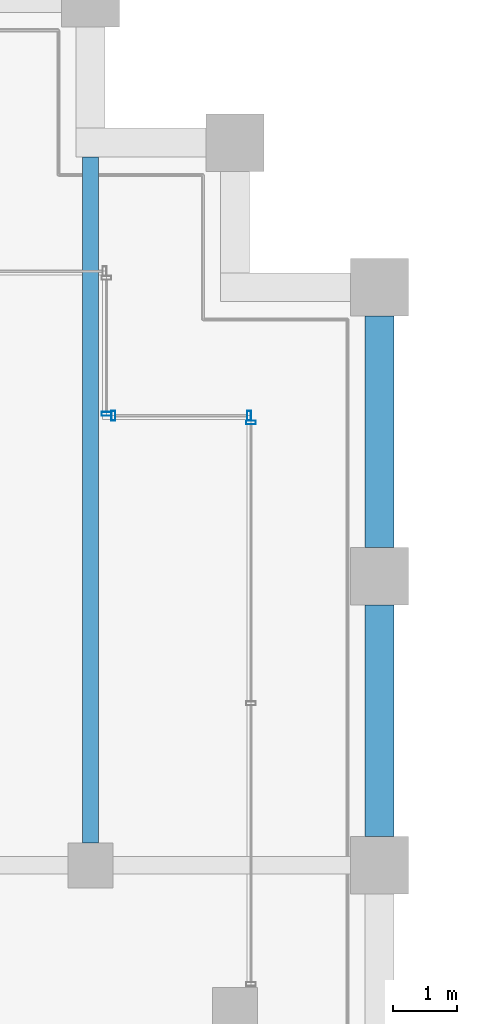
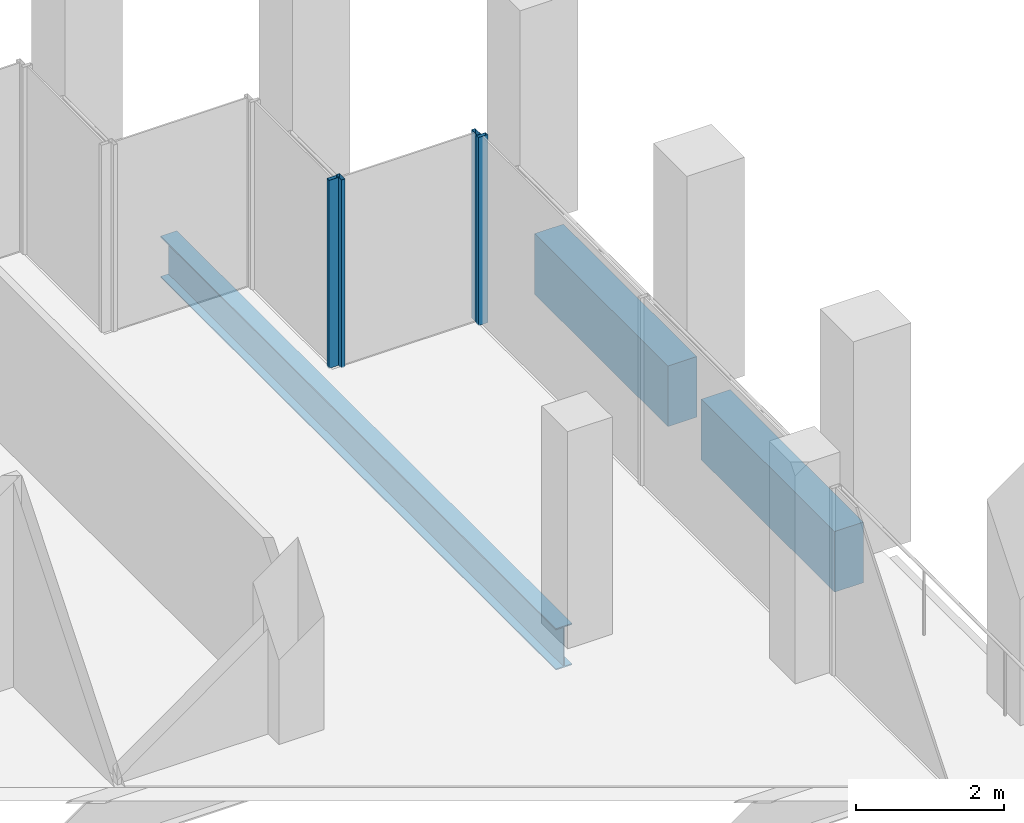
# One storey, part 25 of 40: 4 members, 3 beams, 3 elements without a shape of their own.
"""IFC4 building model written with IfcOpenShell, lengths in metres."""

from ifc_helpers import new_model, si_unit, direction, frame, origin, origin_2d, place, context, subcontext, project, spatial, rectangle, hollow_rectangle, i_section, extrude, material, material_profile, profile_set, type_object, element, aggregate, save


model = new_model("IFC4")

# Units and contexts
model_context = context("Model", 3, precision=1e-05, world=origin(), true_north=direction((0.0, 1.0)))
body_context = subcontext(model_context, "Body", "Model", "MODEL_VIEW")
ifc_project = project(units=[si_unit("LENGTHUNIT", "METRE"), si_unit("AREAUNIT", "SQUARE_METRE"), si_unit("VOLUMEUNIT", "CUBIC_METRE"), si_unit("PLANEANGLEUNIT", "RADIAN"), si_unit("MASSUNIT", "GRAM", prefix="KILO")], contexts=[model_context])

# Site, building, storey
site_placement = place(None, origin())
site = spatial("IfcSite", under=ifc_project, at=site_placement, CompositionType="ELEMENT")
building_placement = place(site_placement, origin())
building = spatial("IfcBuilding", under=site, at=building_placement, Name="Altepetl Exchange Towers", CompositionType="ELEMENT")
storey_placement = place(building_placement, frame((0.0, 0.0, 154.60009765625)))
storey = spatial("IfcBuildingStorey", under=building, at=storey_placement, Name="L38", CompositionType="ELEMENT", Elevation=154.60009765625)

# Beam
ifc_material_1 = material(Name="Steel S355", Category="steel")
ifc_material_profile_1 = material_profile(ifc_material_1, i_section(OverallWidth=0.25390625, OverallDepth=0.68408203125, WebThickness=0.012451171875, FlangeThickness=0.018798828125, at=origin_2d()), Name="W27X94")
ifc_profile_set_1 = profile_set([ifc_material_profile_1], Name="Steel S355")
beam_type_1 = type_object("IfcBeamType", Name="Floor beam W27X94", PredefinedType="BEAM", material=ifc_profile_set_1)
beam_placement = place(storey_placement, frame((67.5, 58.85009765625, -0.4921875), z_axis=(0.0, 1.0, 0.0), x_axis=(-1.0, 0.0, 0.0)))
element("IfcBeam", 1, at=beam_placement, inside=storey, type_object=beam_type_1, Name="bm:A:L38:005", PredefinedType="BEAM", context=body_context, shape_type="SweptSolid", body=[
    extrude(i_section(OverallWidth=0.25390625, OverallDepth=0.68408203125, WebThickness=0.012451171875, FlangeThickness=0.018798828125, at=origin_2d()), origin(), (0.0, 0.0, 1.0), 10.6748046875),
])

# Curtain wall, member
ifc_material_2 = material(Name="Aluminium 6063-T6 glazing", Category="aluminium")
curtain_wall_type = type_object("IfcCurtainWallType", Name="Loggia glazing system", PredefinedType="NOTDEFINED", material=ifc_material_2)
curtain_wall_1_placement = place(storey_placement, origin())
curtain_wall_1 = element("IfcCurtainWall", 2, at=curtain_wall_1_placement, inside=storey, type_object=curtain_wall_type, Name="CW1 run", PredefinedType="NOTDEFINED")
ifc_material_3 = material(Name="Aluminium 6063-T6", Category="aluminium")
ifc_material_profile_2 = material_profile(ifc_material_3, hollow_rectangle(XDim=0.06005859375, YDim=0.14990234375, WallThickness=0.0029296875, at=origin_2d()), Name="Mullion 60x150 aluminium")
ifc_profile_set_2 = profile_set([ifc_material_profile_2], Name="Aluminium 6063-T6")
member_type = type_object("IfcMemberType", Name="Mullion 60x150 aluminium", PredefinedType="MULLION", material=ifc_profile_set_2)
member_1_placement = place(storey_placement, frame((70.0, 65.39501953125, 0.0), z_axis=(0.0, 0.0, 1.0), x_axis=(0.0, 1.0, 0.0)))
member_1 = element("IfcMember", 3, at=member_1_placement, type_object=member_type, Name="MU1 mullion", PredefinedType="MULLION", context=body_context, shape_type="SweptSolid", body=[
    extrude(hollow_rectangle(XDim=0.06005859375, YDim=0.14990234375, WallThickness=0.0029296875, at=origin_2d()), origin(), (0.0, 0.0, 1.0), 3.099853515625),
])
aggregate(curtain_wall_1, [member_1])

# Curtain wall, members
curtain_wall_2_placement = place(storey_placement, origin())
curtain_wall_2 = element("IfcCurtainWall", 4, at=curtain_wall_2_placement, inside=storey, type_object=curtain_wall_type, Name="CW1 run", PredefinedType="NOTDEFINED")
member_2_placement = place(storey_placement, frame((69.969970703125, 65.5, 0.0), z_axis=(0.0, 0.0, 1.0), x_axis=(-1.0, 0.0, 0.0)))
member_2 = element("IfcMember", 5, at=member_2_placement, type_object=member_type, Name="MU1 mullion", PredefinedType="MULLION", context=body_context, shape_type="SweptSolid", body=[
    extrude(hollow_rectangle(XDim=0.06005859375, YDim=0.14990234375, WallThickness=0.0029296875, at=origin_2d()), origin(), (0.0, 0.0, 1.0), 3.099853515625),
])
member_3_placement = place(storey_placement, frame((67.85498046875, 65.5, 0.0), z_axis=(0.0, 0.0, 1.0), x_axis=(-1.0, 0.0, 0.0)))
member_3 = element("IfcMember", 6, at=member_3_placement, type_object=member_type, Name="MU1 mullion", PredefinedType="MULLION", context=body_context, shape_type="SweptSolid", body=[
    extrude(hollow_rectangle(XDim=0.06005859375, YDim=0.14990234375, WallThickness=0.0029296875, at=origin_2d()), origin(), (0.0, 0.0, 1.0), 3.099853515625),
])
aggregate(curtain_wall_2, [member_2, member_3])

# Curtain wall, member
curtain_wall_3_placement = place(storey_placement, origin())
curtain_wall_3 = element("IfcCurtainWall", 7, at=curtain_wall_3_placement, inside=storey, type_object=curtain_wall_type, Name="CW1 run", PredefinedType="NOTDEFINED")
member_4_placement = place(storey_placement, frame((67.75, 65.530029296875, 0.0), z_axis=(0.0, 0.0, 1.0), x_axis=(0.0, 1.0, 0.0)))
member_4 = element("IfcMember", 8, at=member_4_placement, type_object=member_type, Name="MU1 mullion", PredefinedType="MULLION", context=body_context, shape_type="SweptSolid", body=[
    extrude(hollow_rectangle(XDim=0.06005859375, YDim=0.14990234375, WallThickness=0.0029296875, at=origin_2d()), origin(), (0.0, 0.0, 1.0), 3.099853515625),
])
aggregate(curtain_wall_3, [member_4])

# Beams
ifc_material_4 = material(Name="Concrete C50/60 precast with cantera rosa facing", Category="concrete")
ifc_material_profile_3 = material_profile(ifc_material_4, rectangle(XDim=0.449951171875, YDim=1.0, at=origin_2d()), Name="450 x 1000")
ifc_profile_set_3 = profile_set([ifc_material_profile_3], Name="Concrete C50/60 precast with cantera rosa facing")
beam_type_2 = type_object("IfcBeamType", Name="Spandrel beam 450x1000 cantera rosa", PredefinedType="SPANDREL", material=ifc_profile_set_3)
for number, where, z_axis, x_axis, name in (
    (9, (72.0, 58.949951171875, -0.650146484375), (0.0, 1.0, 0.0), (-1.0, 0.0, 0.0), "sp:A:L38:018"),
    (10, (72.0, 63.449951171875, -0.650146484375), (0.0, 1.0, 0.0), (-1.0, 0.0, 0.0), "sp:A:L38:019"),
):
    element("IfcBeam", number, at=place(storey_placement, frame(where, z_axis=z_axis, x_axis=x_axis)), inside=storey, type_object=beam_type_2, Name=name, PredefinedType="SPANDREL", context=body_context, shape_type="SweptSolid", body=[
        extrude(rectangle(XDim=0.449951171875, YDim=1.0, at=origin_2d()), origin(), (0.0, 0.0, 1.0), 3.60009765625),
    ])

save(model, "model.ifc")
